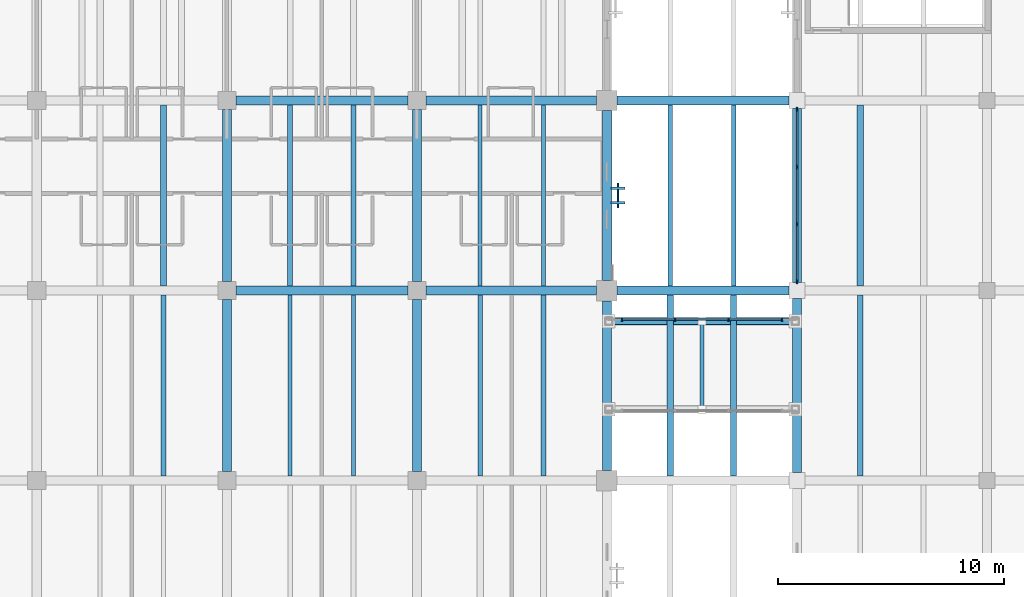
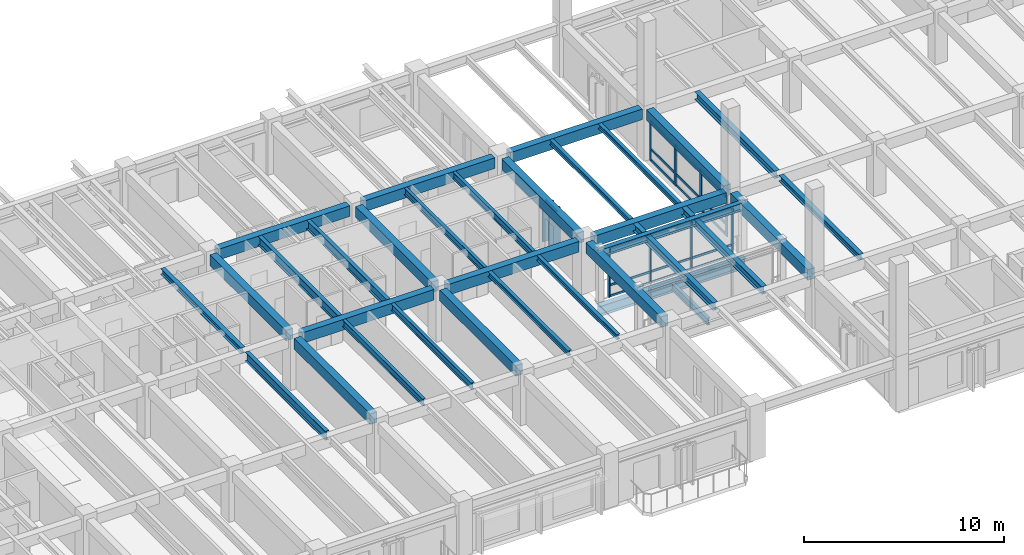
# One storey, part 23 of 123: 33 beams, 29 members, 3 elements without a shape of their own.
"""IFC4 building model written with IfcOpenShell, lengths in metres."""

from ifc_helpers import new_model, si_unit, direction, frame, origin, origin_2d, place, context, subcontext, project, spatial, rectangle, i_section, extrude, material, material_profile, profile_set, type_object, element, aggregate, save


model = new_model("IFC4")

# Units and contexts
model_context = context("Model", 3, precision=1e-05, world=origin(), true_north=direction((0.0, 1.0)))
body_context = subcontext(model_context, "Body", "Model", "MODEL_VIEW")
ifc_project = project(units=[si_unit("LENGTHUNIT", "METRE"), si_unit("AREAUNIT", "SQUARE_METRE"), si_unit("VOLUMEUNIT", "CUBIC_METRE"), si_unit("PLANEANGLEUNIT", "RADIAN"), si_unit("MASSUNIT", "GRAM", prefix="KILO")], contexts=[model_context])

# Site, building, storey
site_placement = place(None, origin())
site = spatial("IfcSite", under=ifc_project, at=site_placement, CompositionType="ELEMENT")
building_placement = place(site_placement, origin())
building = spatial("IfcBuilding", under=site, at=building_placement, Name="Cumbredor Promenade Congress Hotel", CompositionType="ELEMENT")
storey_placement = place(building_placement, frame((0.0, 0.0, 11.760009765625)))
storey = spatial("IfcBuildingStorey", under=building, at=storey_placement, Name="L03", CompositionType="ELEMENT", Elevation=11.760009765625)

# Beams
ifc_material_1 = material(Name="Concrete C40/50", Category="concrete")
ifc_material_profile_1 = material_profile(ifc_material_1, rectangle(XDim=0.39990234375, YDim=0.64990234375, at=origin_2d()), Name="RC BEAM 400x650")
ifc_profile_set_1 = profile_set([ifc_material_profile_1], Name="Concrete C40/50")
beam_type_1 = type_object("IfcBeamType", Name="BM-RC-400x650", PredefinedType="BEAM", material=ifc_profile_set_1)
for number, where, z_axis, x_axis, name in (
    (1, (67.199951171875, 92.800048828125, 2.794921875), (0.0, 1.0, 0.0), (-1.0, 0.0, 0.0), "L04 Y-Grid Beam 135"),
    (2, (67.60009765625, 100.800048828125, 2.794921875), (1.0, 0.0, 0.0), (0.0, 1.0, 0.0), "L04 X-Grid Beam 136"),
):
    element("IfcBeam", number, at=place(storey_placement, frame(where, z_axis=z_axis, x_axis=x_axis)), inside=storey, type_object=beam_type_1, Name=name, PredefinedType="BEAM", context=body_context, shape_type="SweptSolid", body=[
        extrude(rectangle(XDim=0.39990234375, YDim=0.64990234375, at=origin_2d()), origin(), (0.0, 0.0, 1.0), 7.599853515625),
    ])
beam_1_placement = place(storey_placement, frame((67.199951171875, 101.199951171875, 2.794921875), z_axis=(0.0, 1.0, 0.0), x_axis=(-1.0, 0.0, 0.0)))
element("IfcBeam", 3, at=beam_1_placement, inside=storey, type_object=beam_type_1, Name="L04 Y-Grid Beam 137", PredefinedType="BEAM", context=body_context, shape_type="SweptSolid", body=[
    extrude(rectangle(XDim=0.39990234375, YDim=0.64990234375, at=origin_2d()), origin(), (0.0, 0.0, 1.0), 7.60009765625),
])
for number, where, z_axis, x_axis, name in (
    (4, (67.60009765625, 109.199951171875, 2.794921875), (1.0, 0.0, 0.0), (0.0, 1.0, 0.0), "L04 X-Grid Beam 138"),
    (5, (75.60009765625, 92.800048828125, 2.794921875), (0.0, 1.0, 0.0), (-1.0, 0.0, 0.0), "L04 Y-Grid Beam 144"),
):
    element("IfcBeam", number, at=place(storey_placement, frame(where, z_axis=z_axis, x_axis=x_axis)), inside=storey, type_object=beam_type_1, Name=name, PredefinedType="BEAM", context=body_context, shape_type="SweptSolid", body=[
        extrude(rectangle(XDim=0.39990234375, YDim=0.64990234375, at=origin_2d()), origin(), (0.0, 0.0, 1.0), 7.599853515625),
    ])
beam_2_placement = place(storey_placement, frame((76.0, 100.800048828125, 2.794921875), z_axis=(1.0, 0.0, 0.0), x_axis=(0.0, 1.0, 0.0)))
element("IfcBeam", 6, at=beam_2_placement, inside=storey, type_object=beam_type_1, Name="L04 X-Grid Beam 145", PredefinedType="BEAM", context=body_context, shape_type="SweptSolid", body=[
    extrude(rectangle(XDim=0.39990234375, YDim=0.64990234375, at=origin_2d()), origin(), (0.0, 0.0, 1.0), 7.550048828125),
])
beam_3_placement = place(storey_placement, frame((75.60009765625, 101.199951171875, 2.794921875), z_axis=(0.0, 1.0, 0.0), x_axis=(-1.0, 0.0, 0.0)))
element("IfcBeam", 7, at=beam_3_placement, inside=storey, type_object=beam_type_1, Name="L04 Y-Grid Beam 146", PredefinedType="BEAM", context=body_context, shape_type="SweptSolid", body=[
    extrude(rectangle(XDim=0.39990234375, YDim=0.64990234375, at=origin_2d()), origin(), (0.0, 0.0, 1.0), 7.60009765625),
])
beam_4_placement = place(storey_placement, frame((76.0, 109.199951171875, 2.794921875), z_axis=(1.0, 0.0, 0.0), x_axis=(0.0, 1.0, 0.0)))
element("IfcBeam", 8, at=beam_4_placement, inside=storey, type_object=beam_type_1, Name="L04 X-Grid Beam 147", PredefinedType="BEAM", context=body_context, shape_type="SweptSolid", body=[
    extrude(rectangle(XDim=0.39990234375, YDim=0.64990234375, at=origin_2d()), origin(), (0.0, 0.0, 1.0), 7.550048828125),
])
beam_5_placement = place(storey_placement, frame((84.0, 92.85009765625, 2.794921875), z_axis=(0.0, 1.0, 0.0), x_axis=(-1.0, 0.0, 0.0)))
element("IfcBeam", 9, at=beam_5_placement, inside=storey, type_object=beam_type_1, Name="L04 Y-Grid Beam 153", PredefinedType="BEAM", context=body_context, shape_type="SweptSolid", body=[
    extrude(rectangle(XDim=0.39990234375, YDim=0.64990234375, at=origin_2d()), origin(), (0.0, 0.0, 1.0), 7.5),
])
beam_6_placement = place(storey_placement, frame((84.449951171875, 100.800048828125, 2.794921875), z_axis=(1.0, 0.0, 0.0), x_axis=(0.0, 1.0, 0.0)))
element("IfcBeam", 10, at=beam_6_placement, inside=storey, type_object=beam_type_1, Name="L04 X-Grid Beam 154", PredefinedType="BEAM", context=body_context, shape_type="SweptSolid", body=[
    extrude(rectangle(XDim=0.39990234375, YDim=0.64990234375, at=origin_2d()), origin(), (0.0, 0.0, 1.0), 7.60009765625),
])
beam_7_placement = place(storey_placement, frame((84.0, 101.25, 2.794921875), z_axis=(0.0, 1.0, 0.0), x_axis=(-1.0, 0.0, 0.0)))
element("IfcBeam", 11, at=beam_7_placement, inside=storey, type_object=beam_type_1, Name="L04 Y-Grid Beam 155", PredefinedType="BEAM", context=body_context, shape_type="SweptSolid", body=[
    extrude(rectangle(XDim=0.39990234375, YDim=0.64990234375, at=origin_2d()), origin(), (0.0, 0.0, 1.0), 7.5),
])
beam_8_placement = place(storey_placement, frame((84.449951171875, 109.199951171875, 2.794921875), z_axis=(1.0, 0.0, 0.0), x_axis=(0.0, 1.0, 0.0)))
element("IfcBeam", 12, at=beam_8_placement, inside=storey, type_object=beam_type_1, Name="L04 X-Grid Beam 156", PredefinedType="BEAM", context=body_context, shape_type="SweptSolid", body=[
    extrude(rectangle(XDim=0.39990234375, YDim=0.64990234375, at=origin_2d()), origin(), (0.0, 0.0, 1.0), 7.60009765625),
])
beam_9_placement = place(storey_placement, frame((92.39990234375, 92.75, 2.794921875), z_axis=(0.0, 1.0, 0.0), x_axis=(-1.0, 0.0, 0.0)))
element("IfcBeam", 13, at=beam_9_placement, inside=storey, type_object=beam_type_1, Name="L04 Y-Grid Beam 162", PredefinedType="BEAM", context=body_context, shape_type="SweptSolid", body=[
    extrude(rectangle(XDim=0.39990234375, YDim=0.64990234375, at=origin_2d()), origin(), (0.0, 0.0, 1.0), 7.699951171875),
])
beam_10_placement = place(storey_placement, frame((92.39990234375, 101.14990234375, 2.794921875), z_axis=(0.0, 1.0, 0.0), x_axis=(-1.0, 0.0, 0.0)))
element("IfcBeam", 14, at=beam_10_placement, inside=storey, type_object=beam_type_1, Name="L04 Y-Grid Beam 164", PredefinedType="BEAM", context=body_context, shape_type="SweptSolid", body=[
    extrude(rectangle(XDim=0.39990234375, YDim=0.64990234375, at=origin_2d()), origin(), (0.0, 0.0, 1.0), 7.7001953125),
])
ifc_material_2 = material(Name="Steel ASTM A992 Grade 50", Category="steel")
ifc_material_profile_2 = material_profile(ifc_material_2, i_section(OverallWidth=0.323974609375, OverallDepth=0.611083984375, WebThickness=0.0126953125, FlangeThickness=0.01904296875, at=origin_2d()), Name="W24X104")
ifc_profile_set_2 = profile_set([ifc_material_profile_2], Name="Steel ASTM A992 Grade 50")
beam_type_2 = type_object("IfcBeamType", Name="BM-W24X104", PredefinedType="BEAM", material=ifc_profile_set_2)
beam_11_placement = place(storey_placement, frame((83.9599609375, 99.449951171875, -0.525390625), z_axis=(1.0, 0.0, 0.0), x_axis=(0.0, 1.0, 0.0)))
element("IfcBeam", 15, at=beam_11_placement, inside=storey, type_object=beam_type_2, Name="L03 North Hotel-to-Forum Glazed Bridge Edge Girder 2", PredefinedType="BEAM", context=body_context, shape_type="SweptSolid", body=[
    extrude(i_section(OverallWidth=0.323974609375, OverallDepth=0.611083984375, WebThickness=0.0126953125, FlangeThickness=0.01904296875, at=origin_2d()), origin(), (0.0, 0.0, 1.0), 8.47998046875),
])

# Curtain wall, members
ifc_material_3 = material(Name="Thermally broken anodized aluminium and low-E glass", Category="aluminium")
curtain_wall_type_1 = type_object("IfcCurtainWallType", Name="Unitised Bridge Glazing Screen CW-05", PredefinedType="NOTDEFINED", material=ifc_material_3)
curtain_wall_1_placement = place(storey_placement, origin())
curtain_wall_1 = element("IfcCurtainWall", 16, at=curtain_wall_1_placement, inside=storey, type_object=curtain_wall_type_1, Name="L03 North Hotel-to-Forum Glazed Bridge North Glazing Screen", PredefinedType="NOTDEFINED")
ifc_material_4 = material(Name="Thermally broken anodized aluminium", Category="aluminium")
ifc_material_profile_3 = material_profile(ifc_material_4, rectangle(XDim=0.06494140625, YDim=0.159912109375, at=origin_2d()), Name="ALU MULLION 65x160")
ifc_profile_set_3 = profile_set([ifc_material_profile_3], Name="Thermally broken anodized aluminium")
member_type_1 = type_object("IfcMemberType", Name="Curtain Wall Mullion ML-01", PredefinedType="MULLION", material=ifc_profile_set_3)
member_1_placement = place(storey_placement, frame((84.659912109375, 99.52001953125, -0.008056640625), z_axis=(0.0, 0.0, 1.0), x_axis=(1.0, 0.0, 0.0)))
member_1 = element("IfcMember", 17, at=member_1_placement, type_object=member_type_1, Name="L03 North Hotel-to-Forum Glazed Bridge North Glazing Screen Mullion 1", PredefinedType="MULLION", context=body_context, shape_type="SweptSolid", body=[
    extrude(rectangle(XDim=0.06494140625, YDim=0.159912109375, at=origin_2d()), origin(), (0.0, 0.0, 1.0), 2.99609375),
])
member_2_placement = place(storey_placement, frame((87.02001953125, 99.52001953125, -0.008056640625), z_axis=(0.0, 0.0, 1.0), x_axis=(1.0, 0.0, 0.0)))
member_2 = element("IfcMember", 18, at=member_2_placement, type_object=member_type_1, Name="L03 North Hotel-to-Forum Glazed Bridge North Glazing Screen Mullion 2", PredefinedType="MULLION", context=body_context, shape_type="SweptSolid", body=[
    extrude(rectangle(XDim=0.06494140625, YDim=0.159912109375, at=origin_2d()), origin(), (0.0, 0.0, 1.0), 2.99609375),
])
member_3_placement = place(storey_placement, frame((89.3798828125, 99.52001953125, -0.008056640625), z_axis=(0.0, 0.0, 1.0), x_axis=(1.0, 0.0, 0.0)))
member_3 = element("IfcMember", 19, at=member_3_placement, type_object=member_type_1, Name="L03 North Hotel-to-Forum Glazed Bridge North Glazing Screen Mullion 3", PredefinedType="MULLION", context=body_context, shape_type="SweptSolid", body=[
    extrude(rectangle(XDim=0.06494140625, YDim=0.159912109375, at=origin_2d()), origin(), (0.0, 0.0, 1.0), 2.99609375),
])
member_4_placement = place(storey_placement, frame((91.739990234375, 99.52001953125, -0.008056640625), z_axis=(0.0, 0.0, 1.0), x_axis=(1.0, 0.0, 0.0)))
member_4 = element("IfcMember", 20, at=member_4_placement, type_object=member_type_1, Name="L03 North Hotel-to-Forum Glazed Bridge North Glazing Screen Mullion 4", PredefinedType="MULLION", context=body_context, shape_type="SweptSolid", body=[
    extrude(rectangle(XDim=0.06494140625, YDim=0.159912109375, at=origin_2d()), origin(), (0.0, 0.0, 1.0), 2.99609375),
])

curtain_wall_type_2 = type_object("IfcCurtainWallType", Name="Unitised Forum Curtain Wall CW-02", PredefinedType="NOTDEFINED", material=ifc_material_3)
curtain_wall_2_placement = place(storey_placement, origin())
curtain_wall_2 = element("IfcCurtainWall", 21, at=curtain_wall_2_placement, inside=storey, type_object=curtain_wall_type_2, Name="L03 Pre-Function and Breakout Meeting Forum West Curtain Wall 3", PredefinedType="NOTDEFINED")
ifc_material_profile_4 = material_profile(ifc_material_4, rectangle(XDim=0.074951171875, YDim=0.199951171875, at=origin_2d()), Name="ALU MULLION 75x200")
ifc_profile_set_4 = profile_set([ifc_material_profile_4], Name="Thermally broken anodized aluminium")
member_type_2 = type_object("IfcMemberType", Name="Curtain Wall Mullion ML-02", PredefinedType="MULLION", material=ifc_profile_set_4)
member_5_placement = place(storey_placement, frame((92.39990234375, 101.205078125, -0.008056640625), z_axis=(0.0, 0.0, 1.0), x_axis=(1.0, 0.0, 0.0)))
member_5 = element("IfcMember", 22, at=member_5_placement, type_object=member_type_2, Name="L03 Pre-Function and Breakout Meeting Forum West Curtain Wall 3 Mullion 1", PredefinedType="MULLION", context=body_context, shape_type="SweptSolid", body=[
    extrude(rectangle(XDim=0.074951171875, YDim=0.199951171875, at=origin_2d()), origin(), (0.0, 0.0, 1.0), 2.470947265625),
])
member_6_placement = place(storey_placement, frame((92.39990234375, 103.735107421875, -0.008056640625), z_axis=(0.0, 0.0, 1.0), x_axis=(1.0, 0.0, 0.0)))
member_6 = element("IfcMember", 23, at=member_6_placement, type_object=member_type_2, Name="L03 Pre-Function and Breakout Meeting Forum West Curtain Wall 3 Mullion 2", PredefinedType="MULLION", context=body_context, shape_type="SweptSolid", body=[
    extrude(rectangle(XDim=0.074951171875, YDim=0.199951171875, at=origin_2d()), origin(), (0.0, 0.0, 1.0), 2.470947265625),
])
member_7_placement = place(storey_placement, frame((92.39990234375, 106.264892578125, -0.008056640625), z_axis=(0.0, 0.0, 1.0), x_axis=(1.0, 0.0, 0.0)))
member_7 = element("IfcMember", 24, at=member_7_placement, type_object=member_type_2, Name="L03 Pre-Function and Breakout Meeting Forum West Curtain Wall 3 Mullion 3", PredefinedType="MULLION", context=body_context, shape_type="SweptSolid", body=[
    extrude(rectangle(XDim=0.074951171875, YDim=0.199951171875, at=origin_2d()), origin(), (0.0, 0.0, 1.0), 2.470947265625),
])
member_8_placement = place(storey_placement, frame((92.39990234375, 108.794921875, -0.008056640625), z_axis=(0.0, 0.0, 1.0), x_axis=(1.0, 0.0, 0.0)))
member_8 = element("IfcMember", 25, at=member_8_placement, type_object=member_type_2, Name="L03 Pre-Function and Breakout Meeting Forum West Curtain Wall 3 Mullion 4", PredefinedType="MULLION", context=body_context, shape_type="SweptSolid", body=[
    extrude(rectangle(XDim=0.074951171875, YDim=0.199951171875, at=origin_2d()), origin(), (0.0, 0.0, 1.0), 2.470947265625),
])

# Curtain wall, member
curtain_wall_type_3 = type_object("IfcCurtainWallType", Name="Solar Brise-Soleil Screen Assembly CW-07", PredefinedType="NOTDEFINED", material=ifc_material_3)
curtain_wall_3_placement = place(storey_placement, origin())
curtain_wall_3 = element("IfcCurtainWall", 26, at=curtain_wall_3_placement, inside=storey, type_object=curtain_wall_type_3, Name="L03 Pier Brise-Soleil Screen 0688", PredefinedType="NOTDEFINED")
ifc_material_profile_5 = material_profile(ifc_material_4, rectangle(XDim=0.06494140625, YDim=0.1298828125, at=origin_2d()), Name="ALU TRANSOM 65x130")
ifc_profile_set_5 = profile_set([ifc_material_profile_5], Name="Thermally broken anodized aluminium")
member_type_3 = type_object("IfcMemberType", Name="Curtain Wall Transom TR-01", PredefinedType="USERDEFINED", material=ifc_profile_set_5)
member_9_placement = place(storey_placement, frame((84.485107421875, 104.449951171875, 2.294921875), z_axis=(0.0, 1.0, 0.0), x_axis=(-1.0, 0.0, 0.0)))
member_9 = element("IfcMember", 27, at=member_9_placement, type_object=member_type_3, Name="L03 Pier Brise-Soleil Header 0690", ObjectType="TRANSOM", PredefinedType="USERDEFINED", context=body_context, shape_type="SweptSolid", body=[
    extrude(rectangle(XDim=0.06494140625, YDim=0.1298828125, at=origin_2d()), origin(), (0.0, 0.0, 1.0), 1.10009765625),
])

# Member
member_10_placement = place(storey_placement, frame((84.6923828125, 99.52001953125, 0.06005859375), z_axis=(1.0, 0.0, 0.0), x_axis=(0.0, 1.0, 0.0)))
member_10 = element("IfcMember", 28, at=member_10_placement, type_object=member_type_3, Name="L03 North Hotel-to-Forum Glazed Bridge North Glazing Screen Transom 1.1", ObjectType="TRANSOM", PredefinedType="USERDEFINED", context=body_context, shape_type="SweptSolid", body=[
    extrude(rectangle(XDim=0.06494140625, YDim=0.1298828125, at=origin_2d()), origin(), (0.0, 0.0, 1.0), 2.295166015625),
])

member_11_placement = place(storey_placement, frame((84.6923828125, 99.52001953125, 0.719970703125), z_axis=(1.0, 0.0, 0.0), x_axis=(0.0, 1.0, 0.0)))
member_11 = element("IfcMember", 29, at=member_11_placement, type_object=member_type_3, Name="L03 North Hotel-to-Forum Glazed Bridge North Glazing Screen Transom 1.2", ObjectType="TRANSOM", PredefinedType="USERDEFINED", context=body_context, shape_type="SweptSolid", body=[
    extrude(rectangle(XDim=0.06494140625, YDim=0.1298828125, at=origin_2d()), origin(), (0.0, 0.0, 1.0), 2.295166015625),
])

member_12_placement = place(storey_placement, frame((84.6923828125, 99.52001953125, 2.919921875), z_axis=(1.0, 0.0, 0.0), x_axis=(0.0, 1.0, 0.0)))
member_12 = element("IfcMember", 30, at=member_12_placement, type_object=member_type_3, Name="L03 North Hotel-to-Forum Glazed Bridge North Glazing Screen Transom 1.3", ObjectType="TRANSOM", PredefinedType="USERDEFINED", context=body_context, shape_type="SweptSolid", body=[
    extrude(rectangle(XDim=0.06494140625, YDim=0.1298828125, at=origin_2d()), origin(), (0.0, 0.0, 1.0), 2.295166015625),
])

member_13_placement = place(storey_placement, frame((87.052490234375, 99.52001953125, 0.06005859375), z_axis=(1.0, 0.0, 0.0), x_axis=(0.0, 1.0, 0.0)))
member_13 = element("IfcMember", 31, at=member_13_placement, type_object=member_type_3, Name="L03 North Hotel-to-Forum Glazed Bridge North Glazing Screen Transom 2.1", ObjectType="TRANSOM", PredefinedType="USERDEFINED", context=body_context, shape_type="SweptSolid", body=[
    extrude(rectangle(XDim=0.06494140625, YDim=0.1298828125, at=origin_2d()), origin(), (0.0, 0.0, 1.0), 2.294921875),
])

member_14_placement = place(storey_placement, frame((87.052490234375, 99.52001953125, 0.719970703125), z_axis=(1.0, 0.0, 0.0), x_axis=(0.0, 1.0, 0.0)))
member_14 = element("IfcMember", 32, at=member_14_placement, type_object=member_type_3, Name="L03 North Hotel-to-Forum Glazed Bridge North Glazing Screen Transom 2.2", ObjectType="TRANSOM", PredefinedType="USERDEFINED", context=body_context, shape_type="SweptSolid", body=[
    extrude(rectangle(XDim=0.06494140625, YDim=0.1298828125, at=origin_2d()), origin(), (0.0, 0.0, 1.0), 2.294921875),
])

member_15_placement = place(storey_placement, frame((87.052490234375, 99.52001953125, 2.919921875), z_axis=(1.0, 0.0, 0.0), x_axis=(0.0, 1.0, 0.0)))
member_15 = element("IfcMember", 33, at=member_15_placement, type_object=member_type_3, Name="L03 North Hotel-to-Forum Glazed Bridge North Glazing Screen Transom 2.3", ObjectType="TRANSOM", PredefinedType="USERDEFINED", context=body_context, shape_type="SweptSolid", body=[
    extrude(rectangle(XDim=0.06494140625, YDim=0.1298828125, at=origin_2d()), origin(), (0.0, 0.0, 1.0), 2.294921875),
])

member_16_placement = place(storey_placement, frame((89.41259765625, 99.52001953125, 0.06005859375), z_axis=(1.0, 0.0, 0.0), x_axis=(0.0, 1.0, 0.0)))
member_16 = element("IfcMember", 34, at=member_16_placement, type_object=member_type_3, Name="L03 North Hotel-to-Forum Glazed Bridge North Glazing Screen Transom 3.1", ObjectType="TRANSOM", PredefinedType="USERDEFINED", context=body_context, shape_type="SweptSolid", body=[
    extrude(rectangle(XDim=0.06494140625, YDim=0.1298828125, at=origin_2d()), origin(), (0.0, 0.0, 1.0), 2.294921875),
])

member_17_placement = place(storey_placement, frame((89.41259765625, 99.52001953125, 0.719970703125), z_axis=(1.0, 0.0, 0.0), x_axis=(0.0, 1.0, 0.0)))
member_17 = element("IfcMember", 35, at=member_17_placement, type_object=member_type_3, Name="L03 North Hotel-to-Forum Glazed Bridge North Glazing Screen Transom 3.2", ObjectType="TRANSOM", PredefinedType="USERDEFINED", context=body_context, shape_type="SweptSolid", body=[
    extrude(rectangle(XDim=0.06494140625, YDim=0.1298828125, at=origin_2d()), origin(), (0.0, 0.0, 1.0), 2.294921875),
])

member_18_placement = place(storey_placement, frame((89.41259765625, 99.52001953125, 2.919921875), z_axis=(1.0, 0.0, 0.0), x_axis=(0.0, 1.0, 0.0)))
member_18 = element("IfcMember", 36, at=member_18_placement, type_object=member_type_3, Name="L03 North Hotel-to-Forum Glazed Bridge North Glazing Screen Transom 3.3", ObjectType="TRANSOM", PredefinedType="USERDEFINED", context=body_context, shape_type="SweptSolid", body=[
    extrude(rectangle(XDim=0.06494140625, YDim=0.1298828125, at=origin_2d()), origin(), (0.0, 0.0, 1.0), 2.294921875),
])

aggregate(curtain_wall_1, [member_1, member_2, member_3, member_4, member_10, member_11, member_12, member_13, member_14, member_15, member_16, member_17, member_18])

ifc_material_profile_6 = material_profile(ifc_material_4, rectangle(XDim=0.074951171875, YDim=0.14990234375, at=origin_2d()), Name="ALU TRANSOM 75x150")
ifc_profile_set_6 = profile_set([ifc_material_profile_6], Name="Thermally broken anodized aluminium")
member_type_4 = type_object("IfcMemberType", Name="Curtain Wall Transom TR-02", PredefinedType="USERDEFINED", material=ifc_profile_set_6)
member_19_placement = place(storey_placement, frame((92.39990234375, 101.242431640625, 0.070068359375), z_axis=(0.0, 1.0, 0.0), x_axis=(-1.0, 0.0, 0.0)))
member_19 = element("IfcMember", 37, at=member_19_placement, type_object=member_type_4, Name="L03 Pre-Function and Breakout Meeting Forum West Curtain Wall 3 Transom 1.1", ObjectType="TRANSOM", PredefinedType="USERDEFINED", context=body_context, shape_type="SweptSolid", body=[
    extrude(rectangle(XDim=0.074951171875, YDim=0.14990234375, at=origin_2d()), origin(), (0.0, 0.0, 1.0), 2.455078125),
])

member_20_placement = place(storey_placement, frame((92.39990234375, 101.242431640625, 0.719970703125), z_axis=(0.0, 1.0, 0.0), x_axis=(-1.0, 0.0, 0.0)))
member_20 = element("IfcMember", 38, at=member_20_placement, type_object=member_type_4, Name="L03 Pre-Function and Breakout Meeting Forum West Curtain Wall 3 Transom 1.2", ObjectType="TRANSOM", PredefinedType="USERDEFINED", context=body_context, shape_type="SweptSolid", body=[
    extrude(rectangle(XDim=0.074951171875, YDim=0.14990234375, at=origin_2d()), origin(), (0.0, 0.0, 1.0), 2.455078125),
])

member_21_placement = place(storey_placement, frame((92.39990234375, 101.242431640625, 2.3798828125), z_axis=(0.0, 1.0, 0.0), x_axis=(-1.0, 0.0, 0.0)))
member_21 = element("IfcMember", 39, at=member_21_placement, type_object=member_type_4, Name="L03 Pre-Function and Breakout Meeting Forum West Curtain Wall 3 Transom 1.3", ObjectType="TRANSOM", PredefinedType="USERDEFINED", context=body_context, shape_type="SweptSolid", body=[
    extrude(rectangle(XDim=0.074951171875, YDim=0.14990234375, at=origin_2d()), origin(), (0.0, 0.0, 1.0), 2.455078125),
])

member_22_placement = place(storey_placement, frame((92.39990234375, 103.7724609375, 0.070068359375), z_axis=(0.0, 1.0, 0.0), x_axis=(-1.0, 0.0, 0.0)))
member_22 = element("IfcMember", 40, at=member_22_placement, type_object=member_type_4, Name="L03 Pre-Function and Breakout Meeting Forum West Curtain Wall 3 Transom 2.1", ObjectType="TRANSOM", PredefinedType="USERDEFINED", context=body_context, shape_type="SweptSolid", body=[
    extrude(rectangle(XDim=0.074951171875, YDim=0.14990234375, at=origin_2d()), origin(), (0.0, 0.0, 1.0), 2.455078125),
])

member_23_placement = place(storey_placement, frame((92.39990234375, 103.7724609375, 0.719970703125), z_axis=(0.0, 1.0, 0.0), x_axis=(-1.0, 0.0, 0.0)))
member_23 = element("IfcMember", 41, at=member_23_placement, type_object=member_type_4, Name="L03 Pre-Function and Breakout Meeting Forum West Curtain Wall 3 Transom 2.2", ObjectType="TRANSOM", PredefinedType="USERDEFINED", context=body_context, shape_type="SweptSolid", body=[
    extrude(rectangle(XDim=0.074951171875, YDim=0.14990234375, at=origin_2d()), origin(), (0.0, 0.0, 1.0), 2.455078125),
])

member_24_placement = place(storey_placement, frame((92.39990234375, 103.7724609375, 2.3798828125), z_axis=(0.0, 1.0, 0.0), x_axis=(-1.0, 0.0, 0.0)))
member_24 = element("IfcMember", 42, at=member_24_placement, type_object=member_type_4, Name="L03 Pre-Function and Breakout Meeting Forum West Curtain Wall 3 Transom 2.3", ObjectType="TRANSOM", PredefinedType="USERDEFINED", context=body_context, shape_type="SweptSolid", body=[
    extrude(rectangle(XDim=0.074951171875, YDim=0.14990234375, at=origin_2d()), origin(), (0.0, 0.0, 1.0), 2.455078125),
])

member_25_placement = place(storey_placement, frame((92.39990234375, 106.302490234375, 0.070068359375), z_axis=(0.0, 1.0, 0.0), x_axis=(-1.0, 0.0, 0.0)))
member_25 = element("IfcMember", 43, at=member_25_placement, type_object=member_type_4, Name="L03 Pre-Function and Breakout Meeting Forum West Curtain Wall 3 Transom 3.1", ObjectType="TRANSOM", PredefinedType="USERDEFINED", context=body_context, shape_type="SweptSolid", body=[
    extrude(rectangle(XDim=0.074951171875, YDim=0.14990234375, at=origin_2d()), origin(), (0.0, 0.0, 1.0), 2.455078125),
])

member_26_placement = place(storey_placement, frame((92.39990234375, 106.302490234375, 0.719970703125), z_axis=(0.0, 1.0, 0.0), x_axis=(-1.0, 0.0, 0.0)))
member_26 = element("IfcMember", 44, at=member_26_placement, type_object=member_type_4, Name="L03 Pre-Function and Breakout Meeting Forum West Curtain Wall 3 Transom 3.2", ObjectType="TRANSOM", PredefinedType="USERDEFINED", context=body_context, shape_type="SweptSolid", body=[
    extrude(rectangle(XDim=0.074951171875, YDim=0.14990234375, at=origin_2d()), origin(), (0.0, 0.0, 1.0), 2.455078125),
])

member_27_placement = place(storey_placement, frame((92.39990234375, 106.302490234375, 2.3798828125), z_axis=(0.0, 1.0, 0.0), x_axis=(-1.0, 0.0, 0.0)))
member_27 = element("IfcMember", 45, at=member_27_placement, type_object=member_type_4, Name="L03 Pre-Function and Breakout Meeting Forum West Curtain Wall 3 Transom 3.3", ObjectType="TRANSOM", PredefinedType="USERDEFINED", context=body_context, shape_type="SweptSolid", body=[
    extrude(rectangle(XDim=0.074951171875, YDim=0.14990234375, at=origin_2d()), origin(), (0.0, 0.0, 1.0), 2.455078125),
])

aggregate(curtain_wall_2, [member_5, member_6, member_7, member_8, member_19, member_20, member_21, member_22, member_23, member_24, member_25, member_26, member_27])

# Beams
ifc_material_profile_7 = material_profile(ifc_material_2, i_section(OverallWidth=0.202880859375, OverallDepth=0.302978515625, WebThickness=0.007568359375, FlangeThickness=0.01318359375, at=origin_2d()), Name="W12X40")
ifc_profile_set_7 = profile_set([ifc_material_profile_7], Name="Steel ASTM A992 Grade 50")
beam_type_3 = type_object("IfcBeamType", Name="JST-W12X40", PredefinedType="JOIST", material=ifc_profile_set_7)
for number, where, z_axis, x_axis, name in (
    (46, (78.39990234375, 92.60009765625, 2.968505859375), (0.0, 1.0, 0.0), (-1.0, 0.0, 0.0), "L04 Secondary Floor Joist 0090"),
    (47, (81.199951171875, 92.60009765625, 2.968505859375), (0.0, 1.0, 0.0), (-1.0, 0.0, 0.0), "L04 Secondary Floor Joist 0091"),
    (48, (86.800048828125, 101.0, 2.968505859375), (0.0, 1.0, 0.0), (-1.0, 0.0, 0.0), "L04 Secondary Floor Joist 0100"),
    (49, (89.60009765625, 101.0, 2.968505859375), (0.0, 1.0, 0.0), (-1.0, 0.0, 0.0), "L04 Secondary Floor Joist 0101"),
):
    element("IfcBeam", number, at=place(storey_placement, frame(where, z_axis=z_axis, x_axis=x_axis)), inside=storey, type_object=beam_type_3, Name=name, PredefinedType="JOIST", context=body_context, shape_type="SweptSolid", body=[
        extrude(i_section(OverallWidth=0.202880859375, OverallDepth=0.302978515625, WebThickness=0.007568359375, FlangeThickness=0.01318359375, at=origin_2d()), origin(), (0.0, 0.0, 1.0), 8.0),
    ])
ifc_material_profile_8 = material_profile(ifc_material_2, i_section(OverallWidth=0.2548828125, OverallDepth=0.35693359375, WebThickness=0.010498046875, FlangeThickness=0.018310546875, at=origin_2d()), Name="W14X68")
ifc_profile_set_8 = profile_set([ifc_material_profile_8], Name="Steel ASTM A992 Grade 50")
beam_type_4 = type_object("IfcBeamType", Name="JST-W14X68", PredefinedType="JOIST", material=ifc_profile_set_8)
for number, where, z_axis, x_axis, name in (
    (50, (64.39990234375, 101.0, 2.94140625), (0.0, 1.0, 0.0), (-1.0, 0.0, 0.0), "L04 Secondary Floor Joist 0077"),
    (51, (95.199951171875, 92.60009765625, 2.94140625), (0.0, 1.0, 0.0), (-1.0, 0.0, 0.0), "L04 Secondary Floor Joist 0106"),
):
    element("IfcBeam", number, at=place(storey_placement, frame(where, z_axis=z_axis, x_axis=x_axis)), inside=storey, type_object=beam_type_4, Name=name, PredefinedType="JOIST", context=body_context, shape_type="SweptSolid", body=[
        extrude(i_section(OverallWidth=0.2548828125, OverallDepth=0.35693359375, WebThickness=0.010498046875, FlangeThickness=0.018310546875, at=origin_2d()), origin(), (0.0, 0.0, 1.0), 8.0),
    ])
ifc_material_profile_9 = material_profile(ifc_material_2, i_section(OverallWidth=0.180908203125, OverallDepth=0.4169921875, WebThickness=0.010986328125, FlangeThickness=0.018310546875, at=origin_2d()), Name="W16X57")
ifc_profile_set_9 = profile_set([ifc_material_profile_9], Name="Steel ASTM A992 Grade 50")
beam_type_5 = type_object("IfcBeamType", Name="JST-W16X57", PredefinedType="JOIST", material=ifc_profile_set_9)
for number, where, z_axis, x_axis, name in (
    (52, (70.0, 92.60009765625, 2.911376953125), (0.0, 1.0, 0.0), (-1.0, 0.0, 0.0), "L04 Secondary Floor Joist 0082"),
    (53, (72.800048828125, 92.60009765625, 2.911376953125), (0.0, 1.0, 0.0), (-1.0, 0.0, 0.0), "L04 Secondary Floor Joist 0083"),
    (54, (78.39990234375, 101.0, 2.911376953125), (0.0, 1.0, 0.0), (-1.0, 0.0, 0.0), "L04 Secondary Floor Joist 0092"),
    (55, (81.199951171875, 101.0, 2.911376953125), (0.0, 1.0, 0.0), (-1.0, 0.0, 0.0), "L04 Secondary Floor Joist 0093"),
):
    element("IfcBeam", number, at=place(storey_placement, frame(where, z_axis=z_axis, x_axis=x_axis)), inside=storey, type_object=beam_type_5, Name=name, PredefinedType="JOIST", context=body_context, shape_type="SweptSolid", body=[
        extrude(i_section(OverallWidth=0.180908203125, OverallDepth=0.4169921875, WebThickness=0.010986328125, FlangeThickness=0.018310546875, at=origin_2d()), origin(), (0.0, 0.0, 1.0), 8.0),
    ])
beam_12_placement = place(storey_placement, frame((88.199951171875, 95.699951171875, -0.428466796875), z_axis=(0.0, 1.0, 0.0), x_axis=(-1.0, 0.0, 0.0)))
element("IfcBeam", 56, at=beam_12_placement, inside=storey, type_object=beam_type_5, Name="L03 North Hotel-to-Forum Glazed Bridge Cross Beam", PredefinedType="JOIST", context=body_context, shape_type="SweptSolid", body=[
    extrude(i_section(OverallWidth=0.180908203125, OverallDepth=0.4169921875, WebThickness=0.010986328125, FlangeThickness=0.018310546875, at=origin_2d()), origin(), (0.0, 0.0, 1.0), 3.60009765625),
])
ifc_material_profile_10 = material_profile(ifc_material_2, i_section(OverallWidth=0.280029296875, OverallDepth=0.462890625, WebThickness=0.0107421875, FlangeThickness=0.017333984375, at=origin_2d()), Name="W18X76")
ifc_profile_set_10 = profile_set([ifc_material_profile_10], Name="Steel ASTM A992 Grade 50")
beam_type_6 = type_object("IfcBeamType", Name="JST-W18X76", PredefinedType="JOIST", material=ifc_profile_set_10)
for number, where, z_axis, x_axis, name in (
    (57, (86.800048828125, 92.60009765625, 2.888427734375), (0.0, 1.0, 0.0), (-1.0, 0.0, 0.0), "L04 Secondary Floor Joist 0098"),
    (58, (89.60009765625, 92.60009765625, 2.888427734375), (0.0, 1.0, 0.0), (-1.0, 0.0, 0.0), "L04 Secondary Floor Joist 0099"),
    (59, (95.199951171875, 101.0, 2.888427734375), (0.0, 1.0, 0.0), (-1.0, 0.0, 0.0), "L04 Secondary Floor Joist 0108"),
):
    element("IfcBeam", number, at=place(storey_placement, frame(where, z_axis=z_axis, x_axis=x_axis)), inside=storey, type_object=beam_type_6, Name=name, PredefinedType="JOIST", context=body_context, shape_type="SweptSolid", body=[
        extrude(i_section(OverallWidth=0.280029296875, OverallDepth=0.462890625, WebThickness=0.0107421875, FlangeThickness=0.017333984375, at=origin_2d()), origin(), (0.0, 0.0, 1.0), 8.0),
    ])
beam_13_placement = place(storey_placement, frame((83.9599609375, 99.449951171875, 2.96337890625), z_axis=(1.0, 0.0, 0.0), x_axis=(0.0, 1.0, 0.0)))
element("IfcBeam", 60, at=beam_13_placement, inside=storey, type_object=beam_type_6, Name="North Hotel-to-Forum Glazed Bridge Roof Edge Beam 2", PredefinedType="JOIST", context=body_context, shape_type="SweptSolid", body=[
    extrude(i_section(OverallWidth=0.280029296875, OverallDepth=0.462890625, WebThickness=0.0107421875, FlangeThickness=0.017333984375, at=origin_2d()), origin(), (0.0, 0.0, 1.0), 8.47998046875),
])
ifc_material_profile_11 = material_profile(ifc_material_2, i_section(OverallWidth=0.214111328125, OverallDepth=0.549072265625, WebThickness=0.0146484375, FlangeThickness=0.023681640625, at=origin_2d()), Name="W21X93")
ifc_profile_set_11 = profile_set([ifc_material_profile_11], Name="Steel ASTM A992 Grade 50")
beam_type_7 = type_object("IfcBeamType", Name="JST-W21X93", PredefinedType="JOIST", material=ifc_profile_set_11)
for number, where, z_axis, x_axis, name in (
    (61, (64.39990234375, 92.60009765625, 2.845458984375), (0.0, 1.0, 0.0), (-1.0, 0.0, 0.0), "L04 Secondary Floor Joist 0075"),
    (62, (70.0, 101.0, 2.845458984375), (0.0, 1.0, 0.0), (-1.0, 0.0, 0.0), "L04 Secondary Floor Joist 0084"),
    (63, (72.800048828125, 101.0, 2.845458984375), (0.0, 1.0, 0.0), (-1.0, 0.0, 0.0), "L04 Secondary Floor Joist 0085"),
):
    element("IfcBeam", number, at=place(storey_placement, frame(where, z_axis=z_axis, x_axis=x_axis)), inside=storey, type_object=beam_type_7, Name=name, PredefinedType="JOIST", context=body_context, shape_type="SweptSolid", body=[
        extrude(i_section(OverallWidth=0.214111328125, OverallDepth=0.549072265625, WebThickness=0.0146484375, FlangeThickness=0.023681640625, at=origin_2d()), origin(), (0.0, 0.0, 1.0), 8.0),
    ])

# Member
ifc_material_profile_12 = material_profile(ifc_material_4, rectangle(XDim=0.110107421875, YDim=0.6201171875, at=origin_2d()), Name="ARCH FIN 110x620")
ifc_profile_set_12 = profile_set([ifc_material_profile_12], Name="Thermally broken anodized aluminium")
member_type_5 = type_object("IfcMemberType", Name="Vertical Bronze Brise-Soleil Fin BSF-02 110x620", PredefinedType="USERDEFINED", material=ifc_profile_set_12)
member_28_placement = place(storey_placement, frame((84.485107421875, 104.679931640625, 0.02001953125), z_axis=(0.0, 0.0, 1.0), x_axis=(0.0, 1.0, 0.0)))
member_28 = element("IfcMember", 64, at=member_28_placement, type_object=member_type_5, Name="L03 Pier Brise-Soleil Fin 0689", ObjectType="SOLAR FIN", PredefinedType="USERDEFINED", context=body_context, shape_type="SweptSolid", body=[
    extrude(rectangle(XDim=0.110107421875, YDim=0.6201171875, at=origin_2d()), origin(), (0.0, 0.0, 1.0), 2.31494140625),
])

member_29_placement = place(storey_placement, frame((84.485107421875, 105.320068359375, 0.02001953125), z_axis=(0.0, 0.0, 1.0), x_axis=(0.0, 1.0, 0.0)))
member_29 = element("IfcMember", 65, at=member_29_placement, type_object=member_type_5, Name="L03 Pier Brise-Soleil Fin 0690", ObjectType="SOLAR FIN", PredefinedType="USERDEFINED", context=body_context, shape_type="SweptSolid", body=[
    extrude(rectangle(XDim=0.110107421875, YDim=0.6201171875, at=origin_2d()), origin(), (0.0, 0.0, 1.0), 2.31494140625),
])

aggregate(curtain_wall_3, [member_28, member_29, member_9])

save(model, "model.ifc")
